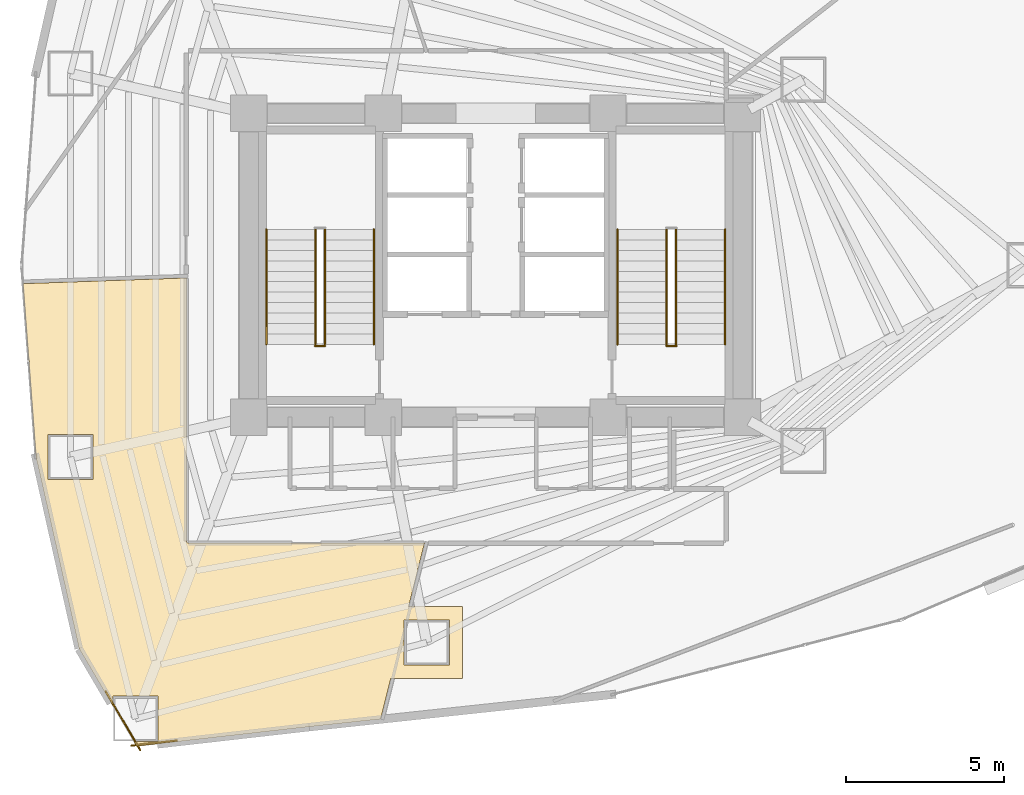
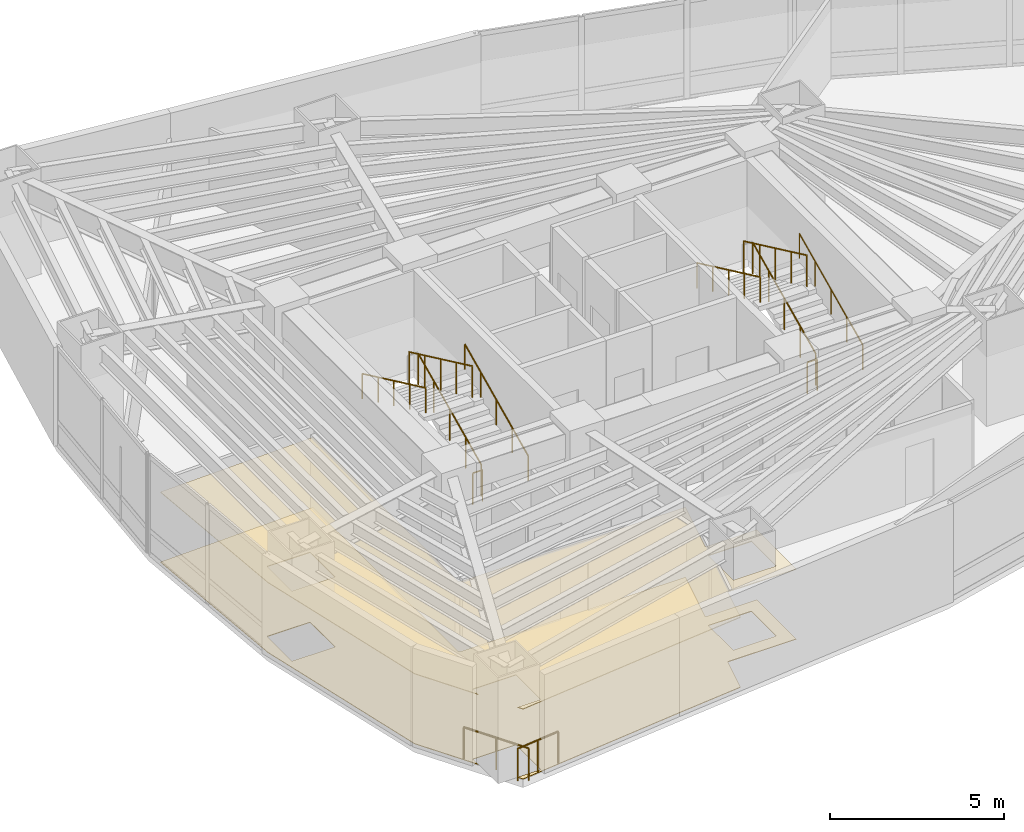
# One storey, part 17 of 20: 12 railings, 2 coverings.
"""IFC4 building model written with IfcOpenShell, lengths in metres."""

from ifc_helpers import new_model, si_unit, direction, frame, origin, origin_2d, place, context, subcontext, project, spatial, polyline, circle, outline, extrude, material, layer, layer_set, type_object, element, save


model = new_model("IFC4")

# Units and contexts
model_context = context("Model", 3, precision=1e-05, world=origin(), true_north=direction((0.0, 1.0)))
body_context = subcontext(model_context, "Body", "Model", "MODEL_VIEW")
ifc_project = project(units=[si_unit("LENGTHUNIT", "METRE"), si_unit("AREAUNIT", "SQUARE_METRE"), si_unit("VOLUMEUNIT", "CUBIC_METRE"), si_unit("PLANEANGLEUNIT", "RADIAN"), si_unit("MASSUNIT", "GRAM", prefix="KILO")], contexts=[model_context])

# Site, building, storey
site_placement = place(None, origin())
site = spatial("IfcSite", under=ifc_project, at=site_placement, CompositionType="ELEMENT")
building_placement = place(site_placement, origin())
building = spatial("IfcBuilding", under=site, at=building_placement, Name="Menara Vayukalpa", CompositionType="ELEMENT")
storey_placement = place(building_placement, frame((0.0, 0.0, 57.360107421875)))
storey = spatial("IfcBuildingStorey", under=building, at=storey_placement, Name="L13", CompositionType="ELEMENT", Elevation=57.360107421875)

# Coverings
ifc_material_1 = material(Name="Mineral Fibre Acoustic Ceiling Tile", Category="masonry")
ifc_layer_1 = layer(ifc_material_1, 0.02490234375)
ifc_layer_set_1 = layer_set([ifc_layer_1], Name="Mineral Fibre Acoustic Ceiling Tile")
covering_type_1 = type_object("IfcCoveringType", Name="COV-CLG1", PredefinedType="CEILING", material=ifc_layer_set_1)
covering_1_placement = place(storey_placement, frame((0.0, 0.0, 2.449951171875)))
element("IfcCovering", 1, at=covering_1_placement, inside=storey, type_object=covering_type_1, Name="L13 Digital Engineering Lab Acoustic Ceiling", PredefinedType="CEILING", context=body_context, shape_type="SweptSolid", body=[
    extrude(outline(polyline([(24.554443359375, 8.942138671875), (22.284423828125, 8.942138671875), (22.284423828125, 8.94970703125), (21.964111328125, 7.664794921875), (21.963623046875, 7.663818359375), (21.96337890625, 7.662841796875), (21.962890625, 7.661865234375), (21.96240234375, 7.660888671875), (21.961669921875, 7.660400390625), (21.9609375, 7.65966796875), (21.960205078125, 7.658935546875), (21.959228515625, 7.658447265625), (21.958251953125, 7.657958984375), (21.95751953125, 7.65771484375), (21.956298828125, 7.6572265625), (21.955322265625, 7.6572265625), (19.70068359375, 7.415771484375), (19.700439453125, 7.415771484375), (14.258056640625, 6.798583984375), (14.257080078125, 6.79833984375), (14.256103515625, 6.79833984375), (14.255126953125, 6.798583984375), (14.254150390625, 6.798828125), (14.25341796875, 6.799072265625), (14.25244140625, 6.799560546875), (14.251708984375, 6.7998046875), (14.250732421875, 6.800537109375), (14.25, 6.801025390625), (14.24951171875, 6.8017578125), (14.248779296875, 6.802490234375), (14.248291015625, 6.80322265625), (14.16162109375, 6.95068359375), (14.9326171875, 6.95068359375), (14.9326171875, 8.380615234375), (13.502685546875, 8.380615234375), (13.502685546875, 8.07177734375), (12.437744140625, 9.88330078125), (12.437255859375, 9.884033203125), (12.43701171875, 9.885009765625), (12.4365234375, 9.885986328125), (11.07421875, 15.941162109375), (11.073974609375, 15.942626953125), (10.6640625, 21.407958984375), (10.6640625, 21.408935546875), (10.664306640625, 21.409912109375), (10.664306640625, 21.410888671875), (10.66455078125, 21.411865234375), (10.6650390625, 21.412841796875), (10.66552734375, 21.413818359375), (10.666015625, 21.41455078125), (10.666748046875, 21.415283203125), (10.66748046875, 21.416015625), (10.668212890625, 21.416748046875), (10.6689453125, 21.417236328125), (10.669921875, 21.417724609375), (10.6708984375, 21.418212890625), (10.671875, 21.41845703125), (10.672607421875, 21.418701171875), (10.673828125, 21.418701171875), (15.819580078125, 21.598388671875), (15.82080078125, 21.598388671875), (15.82177734375, 21.598388671875), (15.822509765625, 21.597900390625), (15.823486328125, 21.59765625), (15.824462890625, 21.597412109375), (15.825439453125, 21.5966796875), (15.826171875, 21.59619140625), (15.826904296875, 21.595703125), (15.82763671875, 21.594970703125), (15.828125, 21.593994140625), (15.828857421875, 21.59326171875), (15.8291015625, 21.59228515625), (15.82958984375, 21.59130859375), (15.829833984375, 21.59033203125), (15.829833984375, 21.58935546875), (15.830078125, 21.58837890625), (15.830078125, 13.290283203125), (15.830322265625, 13.283203125), (15.831298828125, 13.2763671875), (15.8330078125, 13.269775390625), (15.835205078125, 13.26318359375), (15.838134765625, 13.257080078125), (15.841796875, 13.251220703125), (15.845947265625, 13.24560546875), (15.8505859375, 13.240478515625), (15.85546875, 13.236083984375), (15.861083984375, 13.231689453125), (15.866943359375, 13.228271484375), (15.873291015625, 13.225341796875), (15.879638671875, 13.222900390625), (15.88623046875, 13.22119140625), (15.893310546875, 13.220458984375), (15.900390625, 13.219970703125), (23.336181640625, 13.219970703125), (23.33740234375, 13.219970703125), (23.33837890625, 13.2197265625), (23.33935546875, 13.219482421875), (23.340087890625, 13.21923828125), (23.341064453125, 13.21875), (23.342041015625, 13.21826171875), (23.3427734375, 13.217529296875), (23.343505859375, 13.216796875), (23.34423828125, 13.21630859375), (23.3447265625, 13.21533203125), (23.34521484375, 13.214599609375), (23.345703125, 13.21337890625), (23.345947265625, 13.212646484375), (23.34619140625, 13.211669921875), (23.34619140625, 13.210693359375), (23.34619140625, 13.209716796875), (23.34619140625, 13.20849609375), (23.345947265625, 13.20751953125), (22.848388671875, 11.212158203125), (24.554443359375, 11.212158203125), (24.554443359375, 8.942138671875)]), holes=[polyline([(12.879150390625, 16.655517578125), (11.44921875, 16.655517578125), (11.44921875, 15.225341796875), (12.879150390625, 15.225341796875), (12.879150390625, 16.655517578125)]), polyline([(24.134521484375, 10.792236328125), (22.704345703125, 10.792236328125), (22.704345703125, 9.3623046875), (24.134521484375, 9.3623046875), (24.134521484375, 10.792236328125)])]), origin(), (0.0, 0.0, 1.0), 0.02490234375),
])
ifc_material_2 = material(Name="Porcelain Stoneware Floor Tile", Category="masonry")
ifc_layer_2 = layer(ifc_material_2, 0.02001953125)
ifc_layer_set_2 = layer_set([ifc_layer_2], Name="Porcelain Stoneware Floor Tile")
covering_type_2 = type_object("IfcCoveringType", Name="COV-FLR1", PredefinedType="FLOORING", material=ifc_layer_set_2)
covering_2_placement = place(storey_placement, origin())
element("IfcCovering", 2, at=covering_2_placement, inside=storey, type_object=covering_type_2, Name="L13 Digital Engineering Lab Porcelain Flooring", PredefinedType="FLOORING", context=body_context, shape_type="SweptSolid", body=[
    extrude(outline(polyline([(24.554443359375, 8.942138671875), (22.284423828125, 8.942138671875), (22.284423828125, 8.94970703125), (21.964111328125, 7.664794921875), (21.963623046875, 7.663818359375), (21.96337890625, 7.662841796875), (21.962890625, 7.661865234375), (21.96240234375, 7.660888671875), (21.961669921875, 7.660400390625), (21.9609375, 7.65966796875), (21.960205078125, 7.658935546875), (21.959228515625, 7.658447265625), (21.958251953125, 7.657958984375), (21.95751953125, 7.65771484375), (21.956298828125, 7.6572265625), (21.955322265625, 7.6572265625), (19.70068359375, 7.415771484375), (19.700439453125, 7.415771484375), (14.258056640625, 6.798583984375), (14.257080078125, 6.79833984375), (14.256103515625, 6.79833984375), (14.255126953125, 6.798583984375), (14.254150390625, 6.798828125), (14.25341796875, 6.799072265625), (14.25244140625, 6.799560546875), (14.251708984375, 6.7998046875), (14.250732421875, 6.800537109375), (14.25, 6.801025390625), (14.24951171875, 6.8017578125), (14.248779296875, 6.802490234375), (14.248291015625, 6.80322265625), (14.16162109375, 6.95068359375), (14.9326171875, 6.95068359375), (14.9326171875, 8.380615234375), (13.502685546875, 8.380615234375), (13.502685546875, 8.07177734375), (12.437744140625, 9.88330078125), (12.437255859375, 9.884033203125), (12.43701171875, 9.885009765625), (12.4365234375, 9.885986328125), (11.07421875, 15.941162109375), (11.073974609375, 15.942626953125), (10.6640625, 21.407958984375), (10.6640625, 21.408935546875), (10.664306640625, 21.409912109375), (10.664306640625, 21.410888671875), (10.66455078125, 21.411865234375), (10.6650390625, 21.412841796875), (10.66552734375, 21.413818359375), (10.666015625, 21.41455078125), (10.666748046875, 21.415283203125), (10.66748046875, 21.416015625), (10.668212890625, 21.416748046875), (10.6689453125, 21.417236328125), (10.669921875, 21.417724609375), (10.6708984375, 21.418212890625), (10.671875, 21.41845703125), (10.672607421875, 21.418701171875), (10.673828125, 21.418701171875), (15.819580078125, 21.598388671875), (15.82080078125, 21.598388671875), (15.82177734375, 21.598388671875), (15.822509765625, 21.597900390625), (15.823486328125, 21.59765625), (15.824462890625, 21.597412109375), (15.825439453125, 21.5966796875), (15.826171875, 21.59619140625), (15.826904296875, 21.595703125), (15.82763671875, 21.594970703125), (15.828125, 21.593994140625), (15.828857421875, 21.59326171875), (15.8291015625, 21.59228515625), (15.82958984375, 21.59130859375), (15.829833984375, 21.59033203125), (15.829833984375, 21.58935546875), (15.830078125, 21.58837890625), (15.830078125, 13.290283203125), (15.830322265625, 13.283203125), (15.831298828125, 13.2763671875), (15.8330078125, 13.269775390625), (15.835205078125, 13.26318359375), (15.838134765625, 13.257080078125), (15.841796875, 13.251220703125), (15.845947265625, 13.24560546875), (15.8505859375, 13.240478515625), (15.85546875, 13.236083984375), (15.861083984375, 13.231689453125), (15.866943359375, 13.228271484375), (15.873291015625, 13.225341796875), (15.879638671875, 13.222900390625), (15.88623046875, 13.22119140625), (15.893310546875, 13.220458984375), (15.900390625, 13.219970703125), (23.336181640625, 13.219970703125), (23.33740234375, 13.219970703125), (23.33837890625, 13.2197265625), (23.33935546875, 13.219482421875), (23.340087890625, 13.21923828125), (23.341064453125, 13.21875), (23.342041015625, 13.21826171875), (23.3427734375, 13.217529296875), (23.343505859375, 13.216796875), (23.34423828125, 13.21630859375), (23.3447265625, 13.21533203125), (23.34521484375, 13.214599609375), (23.345703125, 13.21337890625), (23.345947265625, 13.212646484375), (23.34619140625, 13.211669921875), (23.34619140625, 13.210693359375), (23.34619140625, 13.209716796875), (23.34619140625, 13.20849609375), (23.345947265625, 13.20751953125), (22.848388671875, 11.212158203125), (24.554443359375, 11.212158203125), (24.554443359375, 8.942138671875)]), holes=[polyline([(12.879150390625, 16.655517578125), (11.44921875, 16.655517578125), (11.44921875, 15.225341796875), (12.879150390625, 15.225341796875), (12.879150390625, 16.655517578125)]), polyline([(24.134521484375, 10.792236328125), (22.704345703125, 10.792236328125), (22.704345703125, 9.3623046875), (24.134521484375, 9.3623046875), (24.134521484375, 10.792236328125)])]), origin(), (0.0, 0.0, 1.0), 0.019775390625),
])

# Railings
ifc_material_3 = material(Name="Laminated Glass and Stainless Steel 316 Guardrail", Category="steel")
railing_type_1 = type_object("IfcRailingType", Name="RLG-EXT115", PredefinedType="GUARDRAIL", material=ifc_material_3)
railing_1_placement = place(storey_placement, frame((13.27978515625, 8.529541015625, 0.0)))
element("IfcRailing", 3, at=railing_1_placement, inside=storey, type_object=railing_type_1, Name="L13 Column Corner Spandrel Guardrail 13-1", PredefinedType="GUARDRAIL", context=body_context, shape_type="SweptSolid", body=[
    extrude(circle(Radius=0.02392578125, at=origin_2d()), frame((0.0, 0.0, 1.1259765625), z_axis=(0.506816821418, -0.862053774151, 0.0), x_axis=(0.862053774151, 0.506816821418, 0.0)), (0.0, 0.0, 1.0), 2.15185546875),
    extrude(circle(Radius=0.02099609375, at=origin_2d()), origin(), (0.0, 0.0, 1.0), 1.101806640625),
    extrude(circle(Radius=0.02099609375, at=origin_2d()), frame((0.54541015625, -0.927490234375, 0.0)), (0.0, 0.0, 1.0), 1.101806640625),
    extrude(circle(Radius=0.02099609375, at=origin_2d()), frame((1.090576171875, -1.85498046875, 0.0)), (0.0, 0.0, 1.0), 1.101806640625),
])
railing_2_placement = place(storey_placement, frame((14.08154296875, 6.81884765625, 0.0)))
element("IfcRailing", 4, at=railing_2_placement, inside=storey, type_object=railing_type_1, Name="L13 Column Corner Spandrel Guardrail 14-1", PredefinedType="GUARDRAIL", context=body_context, shape_type="SweptSolid", body=[
    extrude(circle(Radius=0.02392578125, at=origin_2d()), frame((0.0, 0.0, 1.1259765625), z_axis=(0.993641249981, 0.112592479038, 0.0), x_axis=(-0.112592479038, 0.993641249981, 0.0)), (0.0, 0.0, 1.0), 1.45068359375),
    extrude(circle(Radius=0.02099609375, at=origin_2d()), origin(), (0.0, 0.0, 1.0), 1.101806640625),
    extrude(circle(Radius=0.02099609375, at=origin_2d()), frame((0.720703125, 0.08154296875, 0.0)), (0.0, 0.0, 1.0), 1.101806640625),
    extrude(circle(Radius=0.02099609375, at=origin_2d()), frame((1.44140625, 0.163330078125, 0.0)), (0.0, 0.0, 1.0), 1.101806640625),
])
ifc_material_4 = material(Name="Powder-Coated Galvanised Steel Guardrail", Category="steel")
railing_type_2 = type_object("IfcRailingType", Name="RLG-STG110", PredefinedType="GUARDRAIL", material=ifc_material_4)
railing_3_placement = place(storey_placement, frame((20.199951171875, 19.5, 0.15478515625)))
element("IfcRailing", 5, at=railing_3_placement, inside=storey, type_object=railing_type_2, Name="L13 ST-1 stair guard 1", PredefinedType="GUARDRAIL", context=body_context, shape_type="SweptSolid", body=[
    extrude(circle(Radius=0.02392578125, at=origin_2d()), frame((0.0, 0.0, 1.09619140625), z_axis=(0.0, 0.90511648382, 0.425163675209), x_axis=(-1.0, 0.0, 0.0)), (0.0, 0.0, 1.0), 4.010498046875),
    extrude(circle(Radius=0.02099609375, at=origin_2d()), origin(), (0.0, 0.0, 1.0), 1.072021484375),
    extrude(circle(Radius=0.02099609375, at=origin_2d()), frame((0.0, 0.907470703125, 0.42626953125)), (0.0, 0.0, 1.0), 1.072021484375),
    extrude(circle(Radius=0.02099609375, at=origin_2d()), frame((0.0, 1.81494140625, 0.8525390625)), (0.0, 0.0, 1.0), 1.072021484375),
    extrude(circle(Radius=0.02099609375, at=origin_2d()), frame((0.0, 2.722412109375, 1.27880859375)), (0.0, 0.0, 1.0), 1.072021484375),
    extrude(circle(Radius=0.02099609375, at=origin_2d()), frame((0.0, 3.6298828125, 1.705078125)), (0.0, 0.0, 1.0), 1.072021484375),
])
railing_4_placement = place(storey_placement, frame((19.89990234375, 23.1298828125, 2.014892578125)))
element("IfcRailing", 6, at=railing_4_placement, inside=storey, type_object=railing_type_2, Name="L13 ST-1 stair guard 3", PredefinedType="GUARDRAIL", context=body_context, shape_type="SweptSolid", body=[
    extrude(circle(Radius=0.02392578125, at=origin_2d()), frame((0.0, 0.0, 1.09619140625), z_axis=(0.0, -0.90511648382, 0.425163675209), x_axis=(1.0, 0.0, 0.0)), (0.0, 0.0, 1.0), 4.010498046875),
    extrude(circle(Radius=0.02099609375, at=origin_2d()), origin(), (0.0, 0.0, 1.0), 1.072021484375),
    extrude(circle(Radius=0.02099609375, at=origin_2d()), frame((0.0, -0.907470703125, 0.42626953125)), (0.0, 0.0, 1.0), 1.072021484375),
    extrude(circle(Radius=0.02099609375, at=origin_2d()), frame((0.0, -1.81494140625, 0.8525390625)), (0.0, 0.0, 1.0), 1.072021484375),
    extrude(circle(Radius=0.02099609375, at=origin_2d()), frame((0.0, -2.722412109375, 1.27880859375)), (0.0, 0.0, 1.0), 1.072021484375),
    extrude(circle(Radius=0.02099609375, at=origin_2d()), frame((0.0, -3.6298828125, 1.705078125)), (0.0, 0.0, 1.0), 1.072021484375),
])
railing_5_placement = place(storey_placement, frame((20.2099609375, 19.449951171875, 0.0)))
element("IfcRailing", 7, at=railing_5_placement, inside=storey, type_object=railing_type_2, Name="L13 ST-1 stair guard 4", PredefinedType="GUARDRAIL", context=body_context, shape_type="SweptSolid", body=[
    extrude(circle(Radius=0.02392578125, at=origin_2d()), frame((0.0, 0.0, 1.09619140625), z_axis=(-1.0, 0.0, 0.0), x_axis=(0.0, -1.0, 0.0)), (0.0, 0.0, 1.0), 0.320068359375),
    extrude(circle(Radius=0.02099609375, at=origin_2d()), origin(), (0.0, 0.0, 1.0), 1.072021484375),
    extrude(circle(Radius=0.02099609375, at=origin_2d()), frame((-0.320068359375, 0.0, 0.0)), (0.0, 0.0, 1.0), 1.072021484375),
])
railing_6_placement = place(storey_placement, frame((31.300048828125, 19.5, 0.15478515625)))
element("IfcRailing", 8, at=railing_6_placement, inside=storey, type_object=railing_type_2, Name="L13 ST-2 stair guard 1", PredefinedType="GUARDRAIL", context=body_context, shape_type="SweptSolid", body=[
    extrude(circle(Radius=0.02392578125, at=origin_2d()), frame((0.0, 0.0, 1.09619140625), z_axis=(0.0, 0.90511648382, 0.425163675209), x_axis=(-1.0, 0.0, 0.0)), (0.0, 0.0, 1.0), 4.010498046875),
    extrude(circle(Radius=0.02099609375, at=origin_2d()), origin(), (0.0, 0.0, 1.0), 1.072021484375),
    extrude(circle(Radius=0.02099609375, at=origin_2d()), frame((0.0, 0.907470703125, 0.42626953125)), (0.0, 0.0, 1.0), 1.072021484375),
    extrude(circle(Radius=0.02099609375, at=origin_2d()), frame((0.0, 1.81494140625, 0.8525390625)), (0.0, 0.0, 1.0), 1.072021484375),
    extrude(circle(Radius=0.02099609375, at=origin_2d()), frame((0.0, 2.722412109375, 1.27880859375)), (0.0, 0.0, 1.0), 1.072021484375),
    extrude(circle(Radius=0.02099609375, at=origin_2d()), frame((0.0, 3.6298828125, 1.705078125)), (0.0, 0.0, 1.0), 1.072021484375),
])
railing_7_placement = place(storey_placement, frame((31.0, 23.1298828125, 2.014892578125)))
element("IfcRailing", 9, at=railing_7_placement, inside=storey, type_object=railing_type_2, Name="L13 ST-2 stair guard 3", PredefinedType="GUARDRAIL", context=body_context, shape_type="SweptSolid", body=[
    extrude(circle(Radius=0.02392578125, at=origin_2d()), frame((0.0, 0.0, 1.09619140625), z_axis=(0.0, -0.90511648382, 0.425163675209), x_axis=(1.0, 0.0, 0.0)), (0.0, 0.0, 1.0), 4.010498046875),
    extrude(circle(Radius=0.02099609375, at=origin_2d()), origin(), (0.0, 0.0, 1.0), 1.072021484375),
    extrude(circle(Radius=0.02099609375, at=origin_2d()), frame((0.0, -0.907470703125, 0.42626953125)), (0.0, 0.0, 1.0), 1.072021484375),
    extrude(circle(Radius=0.02099609375, at=origin_2d()), frame((0.0, -1.81494140625, 0.8525390625)), (0.0, 0.0, 1.0), 1.072021484375),
    extrude(circle(Radius=0.02099609375, at=origin_2d()), frame((0.0, -2.722412109375, 1.27880859375)), (0.0, 0.0, 1.0), 1.072021484375),
    extrude(circle(Radius=0.02099609375, at=origin_2d()), frame((0.0, -3.6298828125, 1.705078125)), (0.0, 0.0, 1.0), 1.072021484375),
])
railing_8_placement = place(storey_placement, frame((31.31005859375, 19.449951171875, 0.0)))
element("IfcRailing", 10, at=railing_8_placement, inside=storey, type_object=railing_type_2, Name="L13 ST-2 stair guard 4", PredefinedType="GUARDRAIL", context=body_context, shape_type="SweptSolid", body=[
    extrude(circle(Radius=0.02392578125, at=origin_2d()), frame((0.0, 0.0, 1.09619140625), z_axis=(-1.0, 0.0, 0.0), x_axis=(0.0, -1.0, 0.0)), (0.0, 0.0, 1.0), 0.320068359375),
    extrude(circle(Radius=0.02099609375, at=origin_2d()), origin(), (0.0, 0.0, 1.0), 1.072021484375),
    extrude(circle(Radius=0.02099609375, at=origin_2d()), frame((-0.320068359375, 0.0, 0.0)), (0.0, 0.0, 1.0), 1.072021484375),
])
ifc_material_5 = material(Name="Stainless Steel 316 Tubular Handrail", Category="steel")
railing_type_3 = type_object("IfcRailingType", Name="RLG-STH090", PredefinedType="HANDRAIL", material=ifc_material_5)
railing_9_placement = place(storey_placement, frame((21.75, 19.5, 0.15478515625)))
element("IfcRailing", 11, at=railing_9_placement, inside=storey, type_object=railing_type_3, Name="L13 ST-1 stair handrail 1", PredefinedType="HANDRAIL", context=body_context, shape_type="SweptSolid", body=[
    extrude(circle(Radius=0.02392578125, at=origin_2d()), frame((0.0, 0.0, 0.8759765625), z_axis=(0.0, 0.90511648382, 0.425163675209), x_axis=(-1.0, 0.0, 0.0)), (0.0, 0.0, 1.0), 4.010498046875),
    extrude(circle(Radius=0.02099609375, at=origin_2d()), origin(), (0.0, 0.0, 1.0), 0.851806640625),
    extrude(circle(Radius=0.02099609375, at=origin_2d()), frame((0.0, 0.907470703125, 0.42626953125)), (0.0, 0.0, 1.0), 0.851806640625),
    extrude(circle(Radius=0.02099609375, at=origin_2d()), frame((0.0, 1.81494140625, 0.8525390625)), (0.0, 0.0, 1.0), 0.851806640625),
    extrude(circle(Radius=0.02099609375, at=origin_2d()), frame((0.0, 2.722412109375, 1.27880859375)), (0.0, 0.0, 1.0), 0.851806640625),
    extrude(circle(Radius=0.02099609375, at=origin_2d()), frame((0.0, 3.6298828125, 1.705078125)), (0.0, 0.0, 1.0), 0.851806640625),
])
railing_10_placement = place(storey_placement, frame((18.35009765625, 23.1298828125, 2.014892578125)))
element("IfcRailing", 12, at=railing_10_placement, inside=storey, type_object=railing_type_3, Name="L13 ST-1 stair handrail 2", PredefinedType="HANDRAIL", context=body_context, shape_type="SweptSolid", body=[
    extrude(circle(Radius=0.02392578125, at=origin_2d()), frame((0.0, 0.0, 0.8759765625), z_axis=(0.0, -0.90511648382, 0.425163675209), x_axis=(1.0, 0.0, 0.0)), (0.0, 0.0, 1.0), 4.010498046875),
    extrude(circle(Radius=0.02099609375, at=origin_2d()), origin(), (0.0, 0.0, 1.0), 0.851806640625),
    extrude(circle(Radius=0.02099609375, at=origin_2d()), frame((0.0, -0.907470703125, 0.42626953125)), (0.0, 0.0, 1.0), 0.851806640625),
    extrude(circle(Radius=0.02099609375, at=origin_2d()), frame((0.0, -1.81494140625, 0.8525390625)), (0.0, 0.0, 1.0), 0.851806640625),
    extrude(circle(Radius=0.02099609375, at=origin_2d()), frame((0.0, -2.722412109375, 1.27880859375)), (0.0, 0.0, 1.0), 0.851806640625),
    extrude(circle(Radius=0.02099609375, at=origin_2d()), frame((0.0, -3.6298828125, 1.705078125)), (0.0, 0.0, 1.0), 0.851806640625),
])
railing_11_placement = place(storey_placement, frame((32.85009765625, 19.5, 0.15478515625)))
element("IfcRailing", 13, at=railing_11_placement, inside=storey, type_object=railing_type_3, Name="L13 ST-2 stair handrail 1", PredefinedType="HANDRAIL", context=body_context, shape_type="SweptSolid", body=[
    extrude(circle(Radius=0.02392578125, at=origin_2d()), frame((0.0, 0.0, 0.8759765625), z_axis=(0.0, 0.90511648382, 0.425163675209), x_axis=(-1.0, 0.0, 0.0)), (0.0, 0.0, 1.0), 4.010498046875),
    extrude(circle(Radius=0.02099609375, at=origin_2d()), origin(), (0.0, 0.0, 1.0), 0.851806640625),
    extrude(circle(Radius=0.02099609375, at=origin_2d()), frame((0.0, 0.907470703125, 0.42626953125)), (0.0, 0.0, 1.0), 0.851806640625),
    extrude(circle(Radius=0.02099609375, at=origin_2d()), frame((0.0, 1.81494140625, 0.8525390625)), (0.0, 0.0, 1.0), 0.851806640625),
    extrude(circle(Radius=0.02099609375, at=origin_2d()), frame((0.0, 2.722412109375, 1.27880859375)), (0.0, 0.0, 1.0), 0.851806640625),
    extrude(circle(Radius=0.02099609375, at=origin_2d()), frame((0.0, 3.6298828125, 1.705078125)), (0.0, 0.0, 1.0), 0.851806640625),
])
railing_12_placement = place(storey_placement, frame((29.449951171875, 23.1298828125, 2.014892578125)))
element("IfcRailing", 14, at=railing_12_placement, inside=storey, type_object=railing_type_3, Name="L13 ST-2 stair handrail 2", PredefinedType="HANDRAIL", context=body_context, shape_type="SweptSolid", body=[
    extrude(circle(Radius=0.02392578125, at=origin_2d()), frame((0.0, 0.0, 0.8759765625), z_axis=(0.0, -0.90511648382, 0.425163675209), x_axis=(1.0, 0.0, 0.0)), (0.0, 0.0, 1.0), 4.010498046875),
    extrude(circle(Radius=0.02099609375, at=origin_2d()), origin(), (0.0, 0.0, 1.0), 0.851806640625),
    extrude(circle(Radius=0.02099609375, at=origin_2d()), frame((0.0, -0.907470703125, 0.42626953125)), (0.0, 0.0, 1.0), 0.851806640625),
    extrude(circle(Radius=0.02099609375, at=origin_2d()), frame((0.0, -1.81494140625, 0.8525390625)), (0.0, 0.0, 1.0), 0.851806640625),
    extrude(circle(Radius=0.02099609375, at=origin_2d()), frame((0.0, -2.722412109375, 1.27880859375)), (0.0, 0.0, 1.0), 0.851806640625),
    extrude(circle(Radius=0.02099609375, at=origin_2d()), frame((0.0, -3.6298828125, 1.705078125)), (0.0, 0.0, 1.0), 0.851806640625),
])

save(model, "model.ifc")
